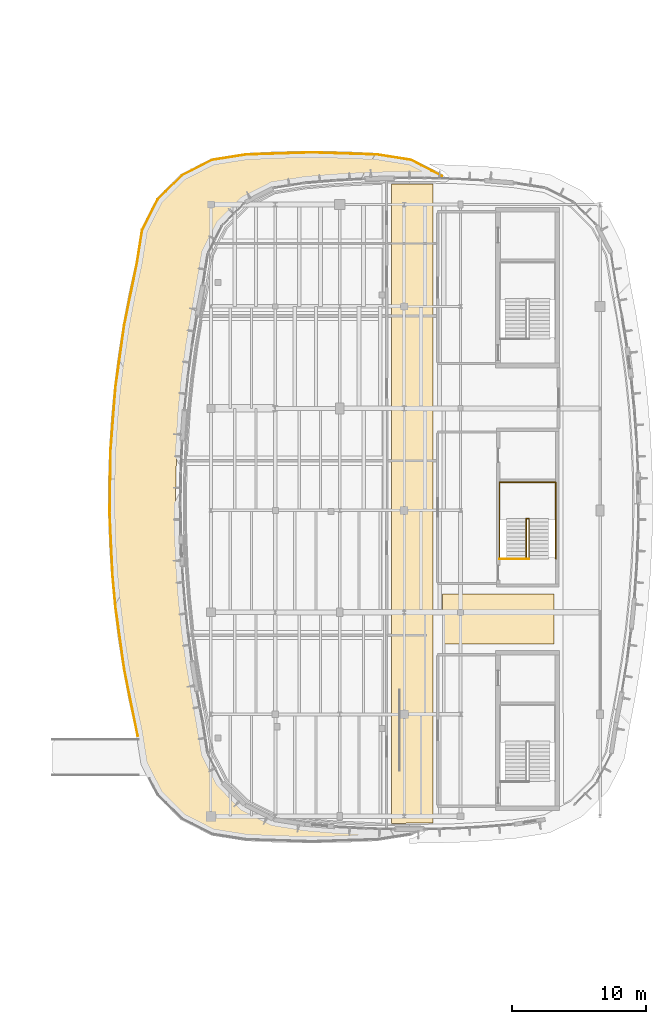
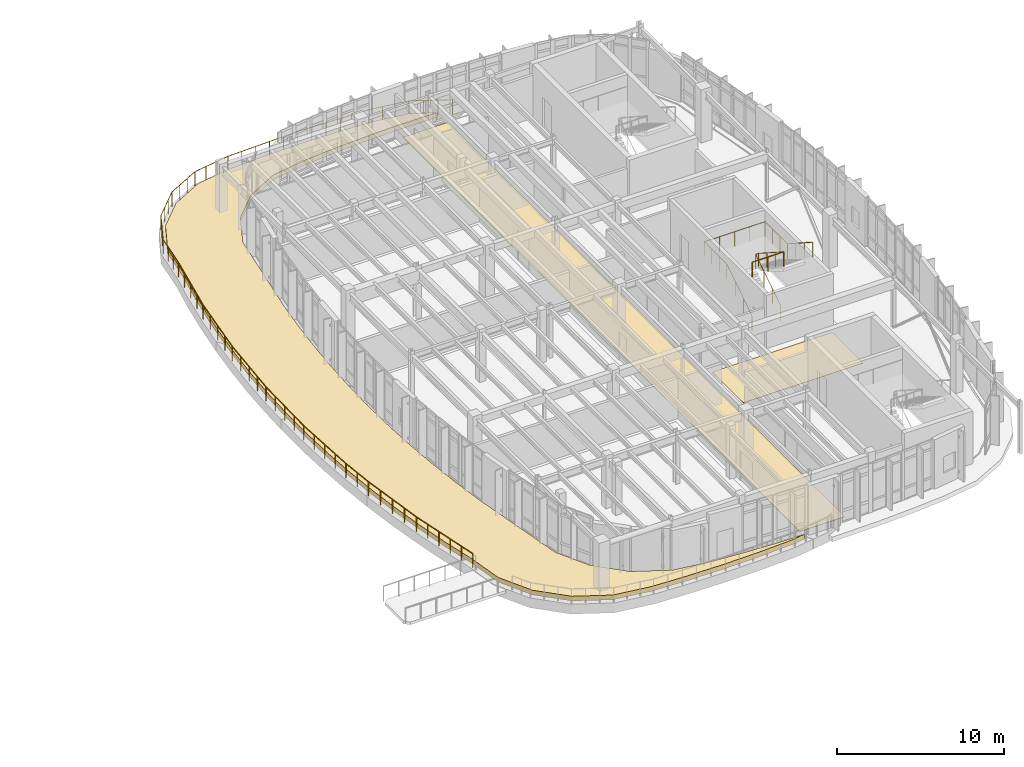
# One storey, part 102 of 105: 4 railings, 3 coverings.
"""IFC4 building model written with IfcOpenShell, lengths in metres."""

from ifc_helpers import new_model, si_unit, direction, frame, origin, origin_2d, place, context, subcontext, project, spatial, polyline, circle, outline, extrude, material, layer, layer_set, type_object, element, save


model = new_model("IFC4")

# Units and contexts
model_context = context("Model", 3, precision=1e-05, world=origin(), true_north=direction((0.0, 1.0)))
body_context = subcontext(model_context, "Body", "Model", "MODEL_VIEW")
ifc_project = project(units=[si_unit("LENGTHUNIT", "METRE"), si_unit("AREAUNIT", "SQUARE_METRE"), si_unit("VOLUMEUNIT", "CUBIC_METRE"), si_unit("PLANEANGLEUNIT", "RADIAN"), si_unit("MASSUNIT", "GRAM", prefix="KILO")], contexts=[model_context])

# Site, building, storey
site_placement = place(None, origin())
site = spatial("IfcSite", under=ifc_project, at=site_placement, CompositionType="ELEMENT")
building_placement = place(site_placement, origin())
building = spatial("IfcBuilding", under=site, at=building_placement, Name="Corveleigh Park Community Centre", CompositionType="ELEMENT")
storey_placement = place(building_placement, frame((0.0, 0.0, 8.699951171875)))
storey = spatial("IfcBuildingStorey", under=building, at=storey_placement, Name="L02", CompositionType="ELEMENT", Elevation=8.699951171875)

# Coverings
ifc_material_1 = material(Name="Acoustic linoleum flooring", Category="wood")
ifc_layer_1 = layer(ifc_material_1, 0.02490234375, Name="Acoustic linoleum flooring", Category="wood")
ifc_layer_set_1 = layer_set([ifc_layer_1], Name="Acoustic linoleum flooring")
covering_type_1 = type_object("IfcCoveringType", Name="COV-FLR-LIN", PredefinedType="FLOORING", material=ifc_layer_set_1)
covering_1_placement = place(storey_placement, origin())
element("IfcCovering", 1, at=covering_1_placement, inside=storey, type_object=covering_type_1, Name="Library Concourse L02 flooring", PredefinedType="FLOORING", context=body_context, shape_type="SweptSolid", body=[
    extrude(outline(polyline([(152.840087890625, 105.721923828125), (155.9599609375, 105.7109375), (155.9599609375, 58.089111328125), (152.840087890625, 58.077880859375), (152.840087890625, 105.721923828125)])), origin(), (0.0, 0.0, 1.0), 0.025146484375),
])
covering_2_placement = place(storey_placement, origin())
element("IfcCovering", 2, at=covering_2_placement, inside=storey, type_object=covering_type_1, Name="Second Floor East Park Link flooring", PredefinedType="FLOORING", context=body_context, shape_type="SweptSolid", body=[
    extrude(outline(polyline([(164.9599609375, 71.43994140625), (156.639892578125, 71.43994140625), (156.639892578125, 75.159912109375), (164.9599609375, 75.159912109375), (164.9599609375, 71.43994140625)])), origin(), (0.0, 0.0, 1.0), 0.025146484375),
])
ifc_material_2 = material(Name="Extensive sedum roof build-up", Category="masonry")
ifc_layer_2 = layer(ifc_material_2, 0.35009765625, Name="Extensive sedum roof build-up", Category="masonry")
ifc_layer_set_2 = layer_set([ifc_layer_2], Name="Extensive sedum roof build-up")
covering_type_2 = type_object("IfcCoveringType", Name="COV-ROF-GRN", PredefinedType="ROOFING", material=ifc_layer_set_2)
covering_3_placement = place(storey_placement, origin())
element("IfcCovering", 3, at=covering_3_placement, inside=storey, type_object=covering_type_2, Name="Step 2 Library Reading Terrace sedum build-up", PredefinedType="ROOFING", context=body_context, shape_type="SweptSolid", body=[
    extrude(outline(polyline([(152.72607421875, 57.301025390625), (151.763916015625, 57.14892578125), (149.340087890625, 57.031982421875), (146.89990234375, 56.992919921875), (144.4599609375, 57.031982421875), (142.035888671875, 57.14892578125), (139.574951171875, 57.5380859375), (137.387939453125, 58.653076171875), (135.653076171875, 60.387939453125), (134.5380859375, 62.574951171875), (134.14599609375, 65.054931640625), (133.636962890625, 67.35595703125), (133.205078125, 69.64599609375), (132.844970703125, 71.947998046875), (132.554931640625, 74.260009765625), (132.337890625, 76.580078125), (132.194091796875, 78.906005859375), (132.12109375, 81.23388671875), (132.12109375, 83.56591796875), (132.194091796875, 85.89404296875), (132.337890625, 88.219970703125), (132.554931640625, 90.5400390625), (132.844970703125, 92.85205078125), (133.205078125, 95.154052734375), (133.636962890625, 97.444091796875), (134.14599609375, 99.7451171875), (134.5380859375, 102.22509765625), (135.653076171875, 104.412109375), (137.387939453125, 106.14697265625), (139.574951171875, 107.261962890625), (142.035888671875, 107.65087890625), (144.4599609375, 107.76806640625), (146.89990234375, 107.806884765625), (149.340087890625, 107.76806640625), (151.763916015625, 107.65087890625), (154.22509765625, 107.261962890625), (155.7119140625, 106.50390625), (153.073974609375, 106.533935546875), (150.833984375, 106.470947265625), (148.60400390625, 106.347900390625), (146.343994140625, 106.160888671875), (143.955078125, 105.780029296875), (141.73095703125, 104.654052734375), (139.989990234375, 102.922119140625), (138.81298828125, 100.612060546875), (137.617919921875, 93.631103515625), (137.31005859375, 91.305908203125), (137.069091796875, 88.964111328125), (136.89599609375, 86.614013671875), (136.7919921875, 84.25), (136.758056640625, 81.89501953125), (136.7919921875, 79.5390625), (136.89599609375, 77.18603515625), (137.069091796875, 74.8369140625), (137.31005859375, 72.493896484375), (137.6201171875, 70.156005859375), (138.821044921875, 63.154052734375), (139.926025390625, 60.966064453125), (141.7041015625, 59.1669921875), (143.9560546875, 58.02001953125), (146.343017578125, 57.638916015625), (148.593994140625, 57.451904296875), (150.833984375, 57.3291015625), (152.72607421875, 57.301025390625)])), origin(), (0.0, 0.0, 1.0), 0.35009765625),
])

# Railings
ifc_material_3 = material(Name="Stainless steel 316 balustrade", Category="steel")
railing_type_1 = type_object("IfcRailingType", Name="RLG-BAL-EXT-1100", PredefinedType="BALUSTRADE", material=ifc_material_3)
railing_1_placement = place(storey_placement, frame((133.944091796875, 64.60009765625, 0.0)))
element("IfcRailing", 4, at=railing_1_placement, inside=storey, type_object=railing_type_1, Name="Step 2 Library Reading Terrace guard 8", PredefinedType="BALUSTRADE", context=body_context, shape_type="SweptSolid", body=[
    extrude(circle(Radius=0.02392578125, at=origin_2d()), frame((0.0, 0.0, 1.076171875), z_axis=(-0.197082654769, 0.980386876284, 0.0), x_axis=(-0.980386876284, -0.197082654769, 0.0)), (0.0, 0.0, 1.0), 5.10009765625),
    extrude(circle(Radius=0.02392578125, at=origin_2d()), frame((-1.005126953125, 5.0, 1.076171875), z_axis=(-0.139389212607, 0.990237672182, 0.0), x_axis=(-0.990237672182, -0.139389212607, 0.0)), (0.0, 0.0, 1.0), 4.676513671875),
    extrude(circle(Radius=0.02392578125, at=origin_2d()), frame((-1.656982421875, 9.630859375, 1.076171875), z_axis=(-0.093237208882, 0.99564392374, 0.0), x_axis=(-0.99564392374, -0.093237208882, 0.0)), (0.0, 0.0, 1.0), 2.33837890625),
    extrude(circle(Radius=0.02392578125, at=origin_2d()), frame((-1.875, 11.958984375, 1.076171875), z_axis=(-0.046624965043, 0.998912464951, 0.0), x_axis=(-0.998912464951, -0.046624965043, 0.0)), (0.0, 0.0, 1.0), 4.676025390625),
    extrude(circle(Radius=0.02392578125, at=origin_2d()), frame((-2.093017578125, 16.6298828125, 1.076171875), z_axis=(0.015609229489, 0.999878168556, 0.0), x_axis=(-0.999878168556, 0.015609229489, 0.0)), (0.0, 0.0, 1.0), 4.676513671875),
    extrude(circle(Radius=0.02392578125, at=origin_2d()), frame((-2.02001953125, 21.305908203125, 1.076171875), z_axis=(0.077618529637, 0.99698313118, 0.0), x_axis=(-0.99698313118, 0.077618529637, 0.0)), (0.0, 0.0, 1.0), 4.67724609375),
    extrude(circle(Radius=0.02392578125, at=origin_2d()), frame((-1.656982421875, 25.968994140625, 1.076171875), z_axis=(0.139389212607, 0.990237672182, 0.0), x_axis=(-0.990237672182, 0.139389212607, 0.0)), (0.0, 0.0, 1.0), 4.676513671875),
    extrude(circle(Radius=0.02392578125, at=origin_2d()), frame((-1.005126953125, 30.599853515625, 1.076171875), z_axis=(0.200736305698, 0.979645311107, 0.0), x_axis=(-0.979645311107, 0.200736305698, 0.0)), (0.0, 0.0, 1.0), 4.682373046875),
    extrude(circle(Radius=0.02392578125, at=origin_2d()), frame((-0.065185546875, 35.18701171875, 1.076171875), z_axis=(0.156330810266, 0.987704752323, 0.0), x_axis=(-0.987704752323, 0.156330810266, 0.0)), (0.0, 0.0, 1.0), 2.553466796875),
    extrude(circle(Radius=0.02392578125, at=origin_2d()), frame((0.333984375, 37.708984375, 1.076171875), z_axis=(0.454235313198, 0.890881743131, 0.0), x_axis=(-0.890881743131, 0.454235313198, 0.0)), (0.0, 0.0, 1.0), 2.5400390625),
    extrude(circle(Radius=0.02392578125, at=origin_2d()), frame((1.48779296875, 39.971923828125, 1.076171875), z_axis=(0.707154839553, 0.707058719553, 0.0), x_axis=(-0.707058719553, 0.707154839553, 0.0)), (0.0, 0.0, 1.0), 2.5400390625),
    extrude(circle(Radius=0.02392578125, at=origin_2d()), frame((3.283935546875, 41.767822265625, 1.076171875), z_axis=(0.890842847069, 0.45431159112, 0.0), x_axis=(-0.45431159112, 0.890842847069, 0.0)), (0.0, 0.0, 1.0), 2.540283203125),
    extrude(circle(Radius=0.02392578125, at=origin_2d()), frame((5.546875, 42.921875, 1.076171875), z_axis=(0.987731874391, 0.156159355505, 0.0), x_axis=(-0.156159355505, 0.987731874391, 0.0)), (0.0, 0.0, 1.0), 2.54833984375),
    extrude(circle(Radius=0.02392578125, at=origin_2d()), frame((8.06396484375, 43.31982421875, 1.076171875), z_axis=(0.999485493007, 0.032074121475, 0.0), x_axis=(-0.032074121475, 0.999485493007, 0.0)), (0.0, 0.0, 1.0), 4.894287109375),
    extrude(circle(Radius=0.02392578125, at=origin_2d()), frame((12.955810546875, 43.476806640625, 1.076171875), z_axis=(0.999485544319, -0.032072522457, 0.0), x_axis=(0.032072522457, 0.999485544319, 0.0)), (0.0, 0.0, 1.0), 4.89453125),
    extrude(circle(Radius=0.02392578125, at=origin_2d()), frame((17.847900390625, 43.31982421875, 1.076171875), z_axis=(0.987731874391, -0.156159355505, 0.0), x_axis=(0.156159355505, 0.987731874391, 0.0)), (0.0, 0.0, 1.0), 2.54833984375),
    extrude(circle(Radius=0.02392578125, at=origin_2d()), frame((20.364990234375, 42.921875, 1.076171875), z_axis=(0.88671798038, -0.462310743192, 0.0), x_axis=(0.462310743192, 0.88671798038, 0.0)), (0.0, 0.0, 1.0), 2.614990234375),
    extrude(circle(Radius=0.02099609375, at=origin_2d()), origin(), (0.0, 0.0, 1.0), 1.052001953125),
    extrude(circle(Radius=0.02099609375, at=origin_2d()), frame((-0.200927734375, 1.0, 0.0)), (0.0, 0.0, 1.0), 1.052001953125),
    extrude(circle(Radius=0.02099609375, at=origin_2d()), frame((-0.402099609375, 2.0, 0.0)), (0.0, 0.0, 1.0), 1.052001953125),
    extrude(circle(Radius=0.02099609375, at=origin_2d()), frame((-0.60302734375, 3.0, 0.0)), (0.0, 0.0, 1.0), 1.052001953125),
    extrude(circle(Radius=0.02099609375, at=origin_2d()), frame((-0.80419921875, 4.0, 0.0)), (0.0, 0.0, 1.0), 1.052001953125),
    extrude(circle(Radius=0.02099609375, at=origin_2d()), frame((-1.005126953125, 5.0, 0.0)), (0.0, 0.0, 1.0), 1.052001953125),
    extrude(circle(Radius=0.02099609375, at=origin_2d()), frame((-1.16796875, 6.15771484375, 0.0)), (0.0, 0.0, 1.0), 1.052001953125),
    extrude(circle(Radius=0.02099609375, at=origin_2d()), frame((-1.3310546875, 7.3154296875, 0.0)), (0.0, 0.0, 1.0), 1.052001953125),
    extrude(circle(Radius=0.02099609375, at=origin_2d()), frame((-1.494140625, 8.47314453125, 0.0)), (0.0, 0.0, 1.0), 1.052001953125),
    extrude(circle(Radius=0.02099609375, at=origin_2d()), frame((-1.656982421875, 9.630859375, 0.0)), (0.0, 0.0, 1.0), 1.052001953125),
    extrude(circle(Radius=0.02099609375, at=origin_2d()), frame((-1.76611328125, 10.794921875, 0.0)), (0.0, 0.0, 1.0), 1.052001953125),
    extrude(circle(Radius=0.02099609375, at=origin_2d()), frame((-1.875, 11.958984375, 0.0)), (0.0, 0.0, 1.0), 1.052001953125),
    extrude(circle(Radius=0.02099609375, at=origin_2d()), frame((-1.929443359375, 13.126708984375, 0.0)), (0.0, 0.0, 1.0), 1.052001953125),
    extrude(circle(Radius=0.02099609375, at=origin_2d()), frame((-1.98388671875, 14.29443359375, 0.0)), (0.0, 0.0, 1.0), 1.052001953125),
    extrude(circle(Radius=0.02099609375, at=origin_2d()), frame((-2.03857421875, 15.462158203125, 0.0)), (0.0, 0.0, 1.0), 1.052001953125),
    extrude(circle(Radius=0.02099609375, at=origin_2d()), frame((-2.093017578125, 16.6298828125, 0.0)), (0.0, 0.0, 1.0), 1.052001953125),
    extrude(circle(Radius=0.02099609375, at=origin_2d()), frame((-2.07470703125, 17.798828125, 0.0)), (0.0, 0.0, 1.0), 1.052001953125),
    extrude(circle(Radius=0.02099609375, at=origin_2d()), frame((-2.056640625, 18.9677734375, 0.0)), (0.0, 0.0, 1.0), 1.052001953125),
    extrude(circle(Radius=0.02099609375, at=origin_2d()), frame((-2.038330078125, 20.136962890625, 0.0)), (0.0, 0.0, 1.0), 1.052001953125),
    extrude(circle(Radius=0.02099609375, at=origin_2d()), frame((-2.02001953125, 21.305908203125, 0.0)), (0.0, 0.0, 1.0), 1.052001953125),
    extrude(circle(Radius=0.02099609375, at=origin_2d()), frame((-1.92919921875, 22.4716796875, 0.0)), (0.0, 0.0, 1.0), 1.052001953125),
    extrude(circle(Radius=0.02099609375, at=origin_2d()), frame((-1.83837890625, 23.637451171875, 0.0)), (0.0, 0.0, 1.0), 1.052001953125),
    extrude(circle(Radius=0.02099609375, at=origin_2d()), frame((-1.747802734375, 24.80322265625, 0.0)), (0.0, 0.0, 1.0), 1.052001953125),
    extrude(circle(Radius=0.02099609375, at=origin_2d()), frame((-1.656982421875, 25.968994140625, 0.0)), (0.0, 0.0, 1.0), 1.052001953125),
    extrude(circle(Radius=0.02099609375, at=origin_2d()), frame((-1.494140625, 27.126708984375, 0.0)), (0.0, 0.0, 1.0), 1.052001953125),
    extrude(circle(Radius=0.02099609375, at=origin_2d()), frame((-1.3310546875, 28.284423828125, 0.0)), (0.0, 0.0, 1.0), 1.052001953125),
    extrude(circle(Radius=0.02099609375, at=origin_2d()), frame((-1.16796875, 29.442138671875, 0.0)), (0.0, 0.0, 1.0), 1.052001953125),
    extrude(circle(Radius=0.02099609375, at=origin_2d()), frame((-1.005126953125, 30.599853515625, 0.0)), (0.0, 0.0, 1.0), 1.052001953125),
    extrude(circle(Radius=0.02099609375, at=origin_2d()), frame((-0.77001953125, 31.74658203125, 0.0)), (0.0, 0.0, 1.0), 1.052001953125),
    extrude(circle(Radius=0.02099609375, at=origin_2d()), frame((-0.53515625, 32.8935546875, 0.0)), (0.0, 0.0, 1.0), 1.052001953125),
    extrude(circle(Radius=0.02099609375, at=origin_2d()), frame((-0.30029296875, 34.040283203125, 0.0)), (0.0, 0.0, 1.0), 1.052001953125),
    extrude(circle(Radius=0.02099609375, at=origin_2d()), frame((-0.065185546875, 35.18701171875, 0.0)), (0.0, 0.0, 1.0), 1.052001953125),
    extrude(circle(Radius=0.02099609375, at=origin_2d()), frame((0.06787109375, 36.027587890625, 0.0)), (0.0, 0.0, 1.0), 1.052001953125),
    extrude(circle(Radius=0.02099609375, at=origin_2d()), frame((0.200927734375, 36.868408203125, 0.0)), (0.0, 0.0, 1.0), 1.052001953125),
    extrude(circle(Radius=0.02099609375, at=origin_2d()), frame((0.333984375, 37.708984375, 0.0)), (0.0, 0.0, 1.0), 1.052001953125),
    extrude(circle(Radius=0.02099609375, at=origin_2d()), frame((0.718505859375, 38.46337890625, 0.0)), (0.0, 0.0, 1.0), 1.052001953125),
    extrude(circle(Radius=0.02099609375, at=origin_2d()), frame((1.103271484375, 39.217529296875, 0.0)), (0.0, 0.0, 1.0), 1.052001953125),
    extrude(circle(Radius=0.02099609375, at=origin_2d()), frame((1.48779296875, 39.971923828125, 0.0)), (0.0, 0.0, 1.0), 1.052001953125),
    extrude(circle(Radius=0.02099609375, at=origin_2d()), frame((2.08642578125, 40.570556640625, 0.0)), (0.0, 0.0, 1.0), 1.052001953125),
    extrude(circle(Radius=0.02099609375, at=origin_2d()), frame((2.685302734375, 41.169189453125, 0.0)), (0.0, 0.0, 1.0), 1.052001953125),
    extrude(circle(Radius=0.02099609375, at=origin_2d()), frame((3.283935546875, 41.767822265625, 0.0)), (0.0, 0.0, 1.0), 1.052001953125),
    extrude(circle(Radius=0.02099609375, at=origin_2d()), frame((4.038330078125, 42.152587890625, 0.0)), (0.0, 0.0, 1.0), 1.052001953125),
    extrude(circle(Radius=0.02099609375, at=origin_2d()), frame((4.79248046875, 42.537109375, 0.0)), (0.0, 0.0, 1.0), 1.052001953125),
    extrude(circle(Radius=0.02099609375, at=origin_2d()), frame((5.546875, 42.921875, 0.0)), (0.0, 0.0, 1.0), 1.052001953125),
    extrude(circle(Radius=0.02099609375, at=origin_2d()), frame((6.385986328125, 43.054443359375, 0.0)), (0.0, 0.0, 1.0), 1.052001953125),
    extrude(circle(Radius=0.02099609375, at=origin_2d()), frame((7.224853515625, 43.187255859375, 0.0)), (0.0, 0.0, 1.0), 1.052001953125),
    extrude(circle(Radius=0.02099609375, at=origin_2d()), frame((8.06396484375, 43.31982421875, 0.0)), (0.0, 0.0, 1.0), 1.052001953125),
    extrude(circle(Radius=0.02099609375, at=origin_2d()), frame((9.042236328125, 43.351318359375, 0.0)), (0.0, 0.0, 1.0), 1.052001953125),
    extrude(circle(Radius=0.02099609375, at=origin_2d()), frame((10.020751953125, 43.382568359375, 0.0)), (0.0, 0.0, 1.0), 1.052001953125),
    extrude(circle(Radius=0.02099609375, at=origin_2d()), frame((10.9990234375, 43.4140625, 0.0)), (0.0, 0.0, 1.0), 1.052001953125),
    extrude(circle(Radius=0.02099609375, at=origin_2d()), frame((11.9775390625, 43.4453125, 0.0)), (0.0, 0.0, 1.0), 1.052001953125),
    extrude(circle(Radius=0.02099609375, at=origin_2d()), frame((12.955810546875, 43.476806640625, 0.0)), (0.0, 0.0, 1.0), 1.052001953125),
    extrude(circle(Radius=0.02099609375, at=origin_2d()), frame((13.934326171875, 43.4453125, 0.0)), (0.0, 0.0, 1.0), 1.052001953125),
    extrude(circle(Radius=0.02099609375, at=origin_2d()), frame((14.91259765625, 43.4140625, 0.0)), (0.0, 0.0, 1.0), 1.052001953125),
    extrude(circle(Radius=0.02099609375, at=origin_2d()), frame((15.89111328125, 43.382568359375, 0.0)), (0.0, 0.0, 1.0), 1.052001953125),
    extrude(circle(Radius=0.02099609375, at=origin_2d()), frame((16.869384765625, 43.351318359375, 0.0)), (0.0, 0.0, 1.0), 1.052001953125),
    extrude(circle(Radius=0.02099609375, at=origin_2d()), frame((17.847900390625, 43.31982421875, 0.0)), (0.0, 0.0, 1.0), 1.052001953125),
    extrude(circle(Radius=0.02099609375, at=origin_2d()), frame((18.68701171875, 43.187255859375, 0.0)), (0.0, 0.0, 1.0), 1.052001953125),
    extrude(circle(Radius=0.02099609375, at=origin_2d()), frame((19.52587890625, 43.054443359375, 0.0)), (0.0, 0.0, 1.0), 1.052001953125),
    extrude(circle(Radius=0.02099609375, at=origin_2d()), frame((20.364990234375, 42.921875, 0.0)), (0.0, 0.0, 1.0), 1.052001953125),
    extrude(circle(Radius=0.02099609375, at=origin_2d()), frame((21.137939453125, 42.518798828125, 0.0)), (0.0, 0.0, 1.0), 1.052001953125),
    extrude(circle(Radius=0.02099609375, at=origin_2d()), frame((21.910888671875, 42.115966796875, 0.0)), (0.0, 0.0, 1.0), 1.052001953125),
    extrude(circle(Radius=0.02099609375, at=origin_2d()), frame((22.683837890625, 41.712890625, 0.0)), (0.0, 0.0, 1.0), 1.052001953125),
])
railing_type_2 = type_object("IfcRailingType", Name="RLG-BAL-INT-1100", PredefinedType="BALUSTRADE", material=ifc_material_3)
railing_2_placement = place(storey_placement, frame((162.89990234375, 77.780029296875, 0.0)))
element("IfcRailing", 5, at=railing_2_placement, inside=storey, type_object=railing_type_2, Name="Stair ST6 inner guard L02", PredefinedType="BALUSTRADE", context=body_context, shape_type="SweptSolid", body=[
    extrude(circle(Radius=0.02392578125, at=origin_2d()), frame((0.0, 0.0, 1.076171875), z_axis=(0.0, 0.840498953926, 0.541813167475), x_axis=(-1.0, 0.0, 0.0)), (0.0, 0.0, 1.0), 3.598876953125),
    extrude(circle(Radius=0.02392578125, at=origin_2d()), frame((0.0, 3.02490234375, 3.02587890625), z_axis=(1.0, 0.0, 0.0), x_axis=(0.0, 1.0, 0.0)), (0.0, 0.0, 1.0), 0.2001953125),
    extrude(circle(Radius=0.02392578125, at=origin_2d()), frame((0.2001953125, 3.02490234375, 3.02587890625), z_axis=(0.0, -0.840468061228, 0.541861087416), x_axis=(1.0, 0.0, 0.0)), (0.0, 0.0, 1.0), 3.59912109375),
    extrude(circle(Radius=0.02099609375, at=origin_2d()), origin(), (0.0, 0.0, 1.0), 1.052001953125),
    extrude(circle(Radius=0.02099609375, at=origin_2d()), frame((0.0, 1.00830078125, 0.64990234375)), (0.0, 0.0, 1.0), 1.052001953125),
    extrude(circle(Radius=0.02099609375, at=origin_2d()), frame((0.0, 2.0166015625, 1.300048828125)), (0.0, 0.0, 1.0), 1.052001953125),
    extrude(circle(Radius=0.02099609375, at=origin_2d()), frame((0.0, 3.02490234375, 1.949951171875)), (0.0, 0.0, 1.0), 1.052001953125),
    extrude(circle(Radius=0.02099609375, at=origin_2d()), frame((0.2001953125, 3.02490234375, 1.949951171875)), (0.0, 0.0, 1.0), 1.052001953125),
    extrude(circle(Radius=0.02099609375, at=origin_2d()), frame((0.2001953125, 2.0166015625, 2.60009765625)), (0.0, 0.0, 1.0), 1.052001953125),
    extrude(circle(Radius=0.02099609375, at=origin_2d()), frame((0.2001953125, 1.00830078125, 3.25)), (0.0, 0.0, 1.0), 1.052001953125),
    extrude(circle(Radius=0.02099609375, at=origin_2d()), frame((0.2001953125, 0.0, 3.900146484375)), (0.0, 0.0, 1.0), 1.052001953125),
])
railing_3_placement = place(storey_placement, frame((160.9169921875, 77.780029296875, 3.900146484375)))
element("IfcRailing", 6, at=railing_3_placement, inside=storey, type_object=railing_type_2, Name="Stair ST6 landing guard L02", PredefinedType="BALUSTRADE", context=body_context, shape_type="SweptSolid", body=[
    extrude(circle(Radius=0.02392578125, at=origin_2d()), frame((0.0, 0.0, 1.076171875), z_axis=(1.0, 0.0, 0.0), x_axis=(0.0, 1.0, 0.0)), (0.0, 0.0, 1.0), 2.18310546875),
    extrude(circle(Radius=0.02099609375, at=origin_2d()), origin(), (0.0, 0.0, 1.0), 1.052001953125),
    extrude(circle(Radius=0.02099609375, at=origin_2d()), frame((1.091552734375, 0.0, 0.0)), (0.0, 0.0, 1.0), 1.052001953125),
    extrude(circle(Radius=0.02099609375, at=origin_2d()), frame((2.18310546875, 0.0, 0.0)), (0.0, 0.0, 1.0), 1.052001953125),
])
railing_4_placement = place(storey_placement, frame((160.89697265625, 77.780029296875, 0.0)))
element("IfcRailing", 7, at=railing_4_placement, inside=storey, type_object=railing_type_2, Name="Stair ST6 perimeter guard L02", PredefinedType="BALUSTRADE", context=body_context, shape_type="SweptSolid", body=[
    extrude(circle(Radius=0.02392578125, at=origin_2d()), frame((0.0, 0.0, 1.076171875), z_axis=(0.0, 0.840498953926, 0.541813167475), x_axis=(-1.0, 0.0, 0.0)), (0.0, 0.0, 1.0), 3.598876953125),
    extrude(circle(Radius=0.02392578125, at=origin_2d()), frame((0.0, 3.02490234375, 3.02587890625), z_axis=(0.0, 1.0, 0.0), x_axis=(-1.0, 0.0, 0.0)), (0.0, 0.0, 1.0), 2.68798828125),
    extrude(circle(Radius=0.02392578125, at=origin_2d()), frame((0.0, 5.712890625, 3.02587890625), z_axis=(1.0, 0.0, 0.0), x_axis=(0.0, 1.0, 0.0)), (0.0, 0.0, 1.0), 4.2060546875),
    extrude(circle(Radius=0.02392578125, at=origin_2d()), frame((4.2060546875, 5.712890625, 3.02587890625), z_axis=(0.0, -1.0, 0.0), x_axis=(1.0, 0.0, 0.0)), (0.0, 0.0, 1.0), 2.68798828125),
    extrude(circle(Radius=0.02392578125, at=origin_2d()), frame((4.2060546875, 3.02490234375, 3.02587890625), z_axis=(0.0, -0.840468061228, 0.541861087416), x_axis=(1.0, 0.0, 0.0)), (0.0, 0.0, 1.0), 3.59912109375),
    extrude(circle(Radius=0.02099609375, at=origin_2d()), origin(), (0.0, 0.0, 1.0), 1.052001953125),
    extrude(circle(Radius=0.02099609375, at=origin_2d()), frame((0.0, 1.00830078125, 0.64990234375)), (0.0, 0.0, 1.0), 1.052001953125),
    extrude(circle(Radius=0.02099609375, at=origin_2d()), frame((0.0, 2.0166015625, 1.300048828125)), (0.0, 0.0, 1.0), 1.052001953125),
    extrude(circle(Radius=0.02099609375, at=origin_2d()), frame((0.0, 3.02490234375, 1.949951171875)), (0.0, 0.0, 1.0), 1.052001953125),
    extrude(circle(Radius=0.02099609375, at=origin_2d()), frame((0.0, 3.9208984375, 1.949951171875)), (0.0, 0.0, 1.0), 1.052001953125),
    extrude(circle(Radius=0.02099609375, at=origin_2d()), frame((0.0, 4.81689453125, 1.949951171875)), (0.0, 0.0, 1.0), 1.052001953125),
    extrude(circle(Radius=0.02099609375, at=origin_2d()), frame((0.0, 5.712890625, 1.949951171875)), (0.0, 0.0, 1.0), 1.052001953125),
    extrude(circle(Radius=0.02099609375, at=origin_2d()), frame((1.051513671875, 5.712890625, 1.949951171875)), (0.0, 0.0, 1.0), 1.052001953125),
    extrude(circle(Radius=0.02099609375, at=origin_2d()), frame((2.10302734375, 5.712890625, 1.949951171875)), (0.0, 0.0, 1.0), 1.052001953125),
    extrude(circle(Radius=0.02099609375, at=origin_2d()), frame((3.154541015625, 5.712890625, 1.949951171875)), (0.0, 0.0, 1.0), 1.052001953125),
    extrude(circle(Radius=0.02099609375, at=origin_2d()), frame((4.2060546875, 5.712890625, 1.949951171875)), (0.0, 0.0, 1.0), 1.052001953125),
    extrude(circle(Radius=0.02099609375, at=origin_2d()), frame((4.2060546875, 4.81689453125, 1.949951171875)), (0.0, 0.0, 1.0), 1.052001953125),
    extrude(circle(Radius=0.02099609375, at=origin_2d()), frame((4.2060546875, 3.9208984375, 1.949951171875)), (0.0, 0.0, 1.0), 1.052001953125),
    extrude(circle(Radius=0.02099609375, at=origin_2d()), frame((4.2060546875, 3.02490234375, 1.949951171875)), (0.0, 0.0, 1.0), 1.052001953125),
    extrude(circle(Radius=0.02099609375, at=origin_2d()), frame((4.2060546875, 2.0166015625, 2.60009765625)), (0.0, 0.0, 1.0), 1.052001953125),
    extrude(circle(Radius=0.02099609375, at=origin_2d()), frame((4.2060546875, 1.00830078125, 3.25)), (0.0, 0.0, 1.0), 1.052001953125),
    extrude(circle(Radius=0.02099609375, at=origin_2d()), frame((4.2060546875, 0.0, 3.900146484375)), (0.0, 0.0, 1.0), 1.052001953125),
])

save(model, "model.ifc")
